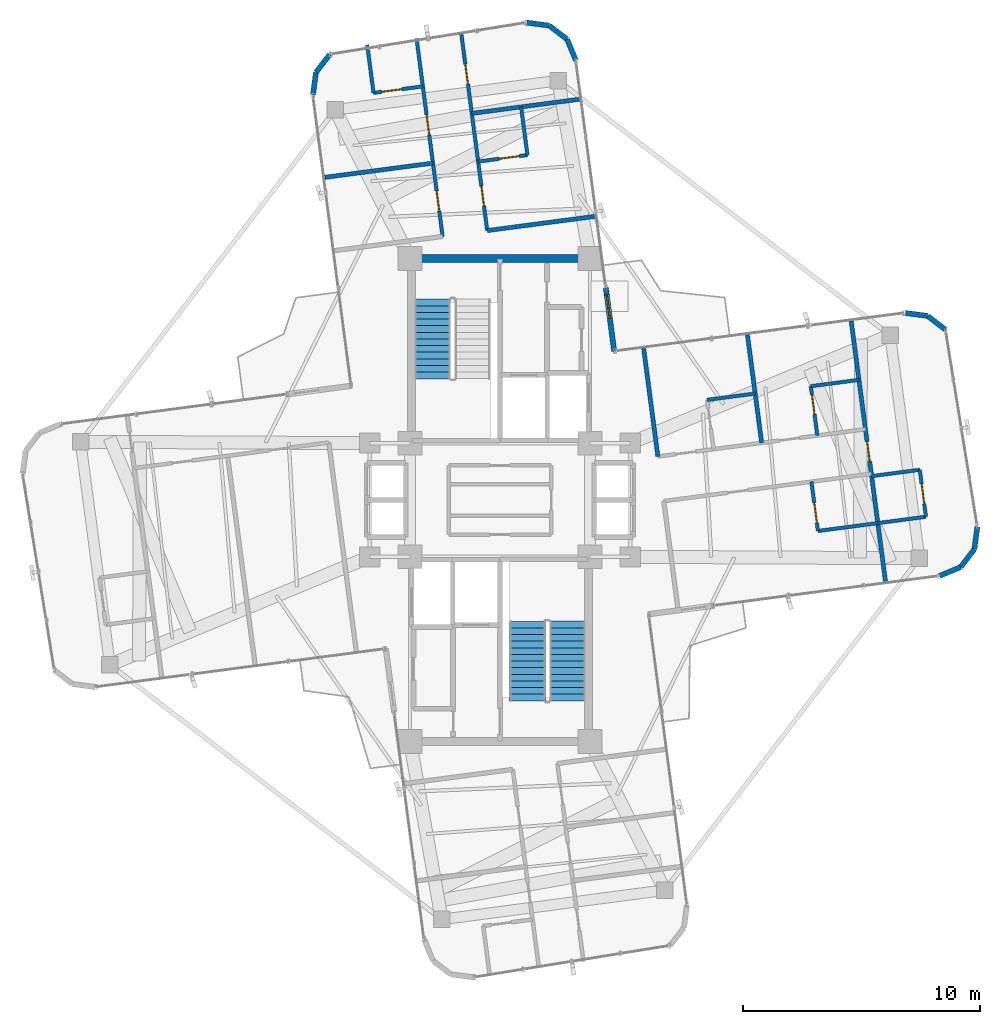
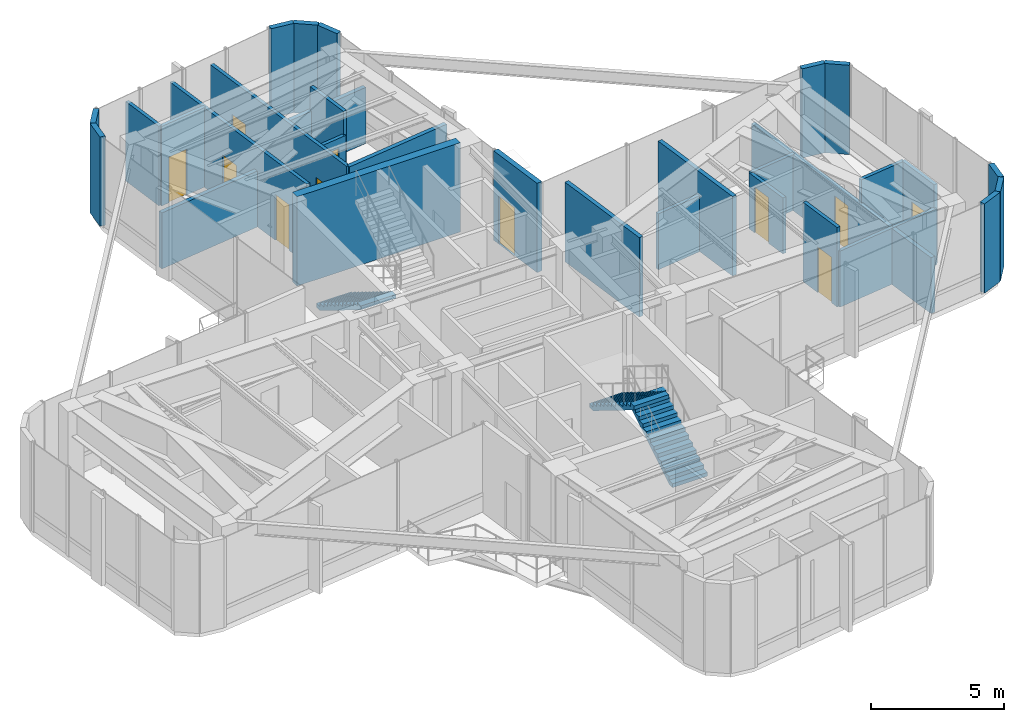
# One storey, part 16 of 18: 32 walls, 11 doors, 3 stair flights, 11 openings, 2 elements without a shape of their own.
"""IFC4 building model written with IfcOpenShell, lengths in metres."""

from ifc_helpers import new_model, si_unit, direction, frame, frame_2d, origin, origin_2d, place, context, subcontext, project, spatial, polyline, rectangle, outline, extrude, source, transform, mapped, material, layer, layer_set, type_object, element, fill, aggregate, save


model = new_model("IFC4")

# Units and contexts
model_context = context("Model", 3, precision=1e-05, world=origin(), true_north=direction((0.0, 1.0)))
body_context = subcontext(model_context, "Body", "Model", "MODEL_VIEW")
ifc_project = project(units=[si_unit("LENGTHUNIT", "METRE"), si_unit("AREAUNIT", "SQUARE_METRE"), si_unit("VOLUMEUNIT", "CUBIC_METRE"), si_unit("PLANEANGLEUNIT", "RADIAN"), si_unit("MASSUNIT", "GRAM", prefix="KILO")], contexts=[model_context])

# Site, building, storey
site_placement = place(None, origin())
site = spatial("IfcSite", under=ifc_project, at=site_placement, CompositionType="ELEMENT")
building_placement = place(site_placement, origin())
building = spatial("IfcBuilding", under=site, at=building_placement, Name="Sahyath Konkavel Grand Hotel", CompositionType="ELEMENT")
storey_placement = place(building_placement, frame((0.0, 0.0, 275.800048828125)))
storey = spatial("IfcBuildingStorey", under=building, at=storey_placement, Name="L77", CompositionType="ELEMENT", Elevation=275.800048828125)

# Walls
ifc_material_1 = material(Name="Concrete C40/50", Category="concrete")
ifc_layer_1 = layer(ifc_material_1, 0.35009765625)
ifc_layer_set_1 = layer_set([ifc_layer_1], Name="Concrete C40/50")
wall_type_1 = type_object("IfcWallType", Name="CWALL-350", PredefinedType="SHEAR", material=ifc_layer_set_1)
wall_1_placement = place(storey_placement, frame((-3.550048828125, 10.199951171875, 0.0), z_axis=(0.0, 0.0, 1.0), x_axis=(1.0, 0.0, 0.0)))
element("IfcWall", 1, at=wall_1_placement, inside=storey, type_object=wall_type_1, Name="L77 North Core Shear Wall N", PredefinedType="SHEAR", context=body_context, shape_type="SweptSolid", body=[
    extrude(rectangle(XDim=7.10009765625, YDim=0.35009765625, at=frame_2d((3.550048828125, 0.0))), origin(), (0.0, 0.0, 1.0), 4.099853515625),
])
ifc_material_2 = material(Name="Warm Buff Sandstone Insulated Concrete C40/50", Category="masonry")
ifc_layer_2 = layer(ifc_material_2, 0.219970703125)
ifc_layer_set_2 = layer_set([ifc_layer_2], Name="Warm Buff Sandstone Insulated Concrete C40/50")
wall_type_2 = type_object("IfcWallType", Name="WLL-BALC-THRESH", PredefinedType="STANDARD", material=ifc_layer_set_2)
wall_2_placement = place(storey_placement, frame((18.56689453125, -3.203857421875, 0.0), z_axis=(0.0, 0.0, 1.0), x_axis=(0.923926759112, 0.382569397359, 0.0)))
element("IfcWall", 2, at=wall_2_placement, inside=storey, type_object=wall_type_2, Name="L77 Rounded Corner Sandstone Pier 1", PredefinedType="STANDARD", context=body_context, shape_type="SweptSolid", body=[
    extrude(rectangle(XDim=0.957763671875, YDim=0.219970703125, at=frame_2d((0.47900390625, 0.0))), origin(), (0.0, 0.0, 1.0), 4.099853515625),
])
for number, where, z_axis, x_axis, name in (
    (3, (19.451904296875, -2.83740234375, 0.0), (0.0, 0.0, 1.0), (0.60861352168, 0.793466811674, 0.0), "L77 Rounded Corner Sandstone Pier 2"),
    (4, (20.03466796875, -2.07763671875, 0.0), (0.0, 0.0, 1.0), (0.13056005306, 0.991440402921, 0.0), "L77 Rounded Corner Sandstone Pier 3"),
    (5, (18.814208984375, 7.1923828125, 0.0), (0.0, 0.0, 1.0), (-0.793249178392, 0.608897151398, 0.0), "L77 Rounded Corner Sandstone Pier 5"),
):
    element("IfcWall", number, at=place(storey_placement, frame(where, z_axis=z_axis, x_axis=x_axis)), inside=storey, type_object=wall_type_2, Name=name, PredefinedType="STANDARD", context=body_context, shape_type="SweptSolid", body=[
        extrude(rectangle(XDim=0.95751953125, YDim=0.219970703125, at=frame_2d((0.478759765625, 0.0))), origin(), (0.0, 0.0, 1.0), 4.099853515625),
    ])
wall_3_placement = place(storey_placement, frame((18.0546875, 7.775390625, 0.0), z_axis=(0.0, 0.0, 1.0), x_axis=(-0.991449089759, 0.130494070426, 0.0)))
element("IfcWall", 6, at=wall_3_placement, inside=storey, type_object=wall_type_2, Name="L77 Rounded Corner Sandstone Pier 6", PredefinedType="STANDARD", context=body_context, shape_type="SweptSolid", body=[
    extrude(rectangle(XDim=0.9580078125, YDim=0.219970703125, at=frame_2d((0.47900390625, 0.0))), origin(), (0.0, 0.0, 1.0), 4.099853515625),
])

# Wall, opening, door
wall_4_placement = place(storey_placement, frame((4.821044921875, 6.282958984375, 0.0), z_axis=(0.0, 0.0, 1.0), x_axis=(-0.130475563272, 0.991451525486, 0.0)))
wall_4 = element("IfcWall", 7, at=wall_4_placement, inside=storey, type_object=wall_type_2, Name="L77 Winter-Garden Threshold Wall 8", PredefinedType="STANDARD", context=body_context, shape_type="SweptSolid", body=[
    extrude(rectangle(XDim=2.7001953125, YDim=0.219970703125, at=frame_2d((1.35009765625, 0.0))), origin(), (0.0, 0.0, 1.0), 4.099853515625),
])
opening_1_placement = place(wall_4_placement, frame((1.39990234375, 0.0, 0.0)))
opening_1 = element("IfcOpeningElement", 8, at=opening_1_placement, cuts=wall_4, Name="Opening D-TR1", PredefinedType="OPENING", context=body_context, shape_type="SweptSolid", body=[
    extrude(rectangle(XDim=1.0, YDim=2.199951171875, at=frame_2d((0.5, 1.10009765625))), frame((0.0, 0.1201171875, 0.0), z_axis=(0.0, -1.0, 0.0), x_axis=(1.0, 0.0, 0.0)), (0.0, 0.0, 1.0), 0.239990234375),
])
ifc_material_3 = material(Name="Anodised Bronze Aluminium & Low-E Glazing", Category="aluminium")
door_type_1 = type_object("IfcDoorType", Name="DR-TERRACE-1000", OperationType="NOTDEFINED", PredefinedType="DOOR", material=ifc_material_3)
shared_shape_1 = source(origin(), body_context, "Body", "SweptSolid", [
    extrude(rectangle(XDim=1.0, YDim=0.050048828125, at=origin_2d()), origin(), (0.0, 0.0, 1.0), 2.199951171875),
])
door_1_placement = place(opening_1_placement, frame((0.5, 0.0, 0.0)))
door_1 = element("IfcDoor", 9, at=door_1_placement, inside=storey, type_object=door_type_1, Name="L77 Winter-Garden Terrace Door 8", OperationType="SINGLE_SWING_LEFT", OverallHeight=2.199951171875, OverallWidth=1.0, PredefinedType="DOOR", context=body_context, shape_type="MappedRepresentation", body=[
    mapped(shared_shape_1, transform((0.0, 0.0, 0.0), scale=1.0)),
])
fill(opening_1, door_1)

# Walls
wall_5_placement = place(storey_placement, frame((3.203857421875, 18.56689453125, 0.0), z_axis=(0.0, 0.0, 1.0), x_axis=(-0.382569397359, 0.923926759112, 0.0)))
element("IfcWall", 10, at=wall_5_placement, inside=storey, type_object=wall_type_2, Name="L77 Rounded Corner Sandstone Pier 9", PredefinedType="STANDARD", context=body_context, shape_type="SweptSolid", body=[
    extrude(rectangle(XDim=0.957763671875, YDim=0.219970703125, at=frame_2d((0.47900390625, 0.0))), origin(), (0.0, 0.0, 1.0), 4.099853515625),
])
for number, where, z_axis, x_axis, name in (
    (11, (2.83740234375, 19.451904296875, 0.0), (0.0, 0.0, 1.0), (-0.793466811674, 0.60861352168, 0.0), "L77 Rounded Corner Sandstone Pier 10"),
    (12, (2.07763671875, 20.03466796875, 0.0), (0.0, 0.0, 1.0), (-0.991440402921, 0.13056005306, 0.0), "L77 Rounded Corner Sandstone Pier 11"),
    (13, (-7.1923828125, 18.814208984375, 0.0), (0.0, 0.0, 1.0), (-0.608897151398, -0.793249178392, 0.0), "L77 Rounded Corner Sandstone Pier 13"),
):
    element("IfcWall", number, at=place(storey_placement, frame(where, z_axis=z_axis, x_axis=x_axis)), inside=storey, type_object=wall_type_2, Name=name, PredefinedType="STANDARD", context=body_context, shape_type="SweptSolid", body=[
        extrude(rectangle(XDim=0.95751953125, YDim=0.219970703125, at=frame_2d((0.478759765625, 0.0))), origin(), (0.0, 0.0, 1.0), 4.099853515625),
    ])
wall_6_placement = place(storey_placement, frame((-7.775390625, 18.0546875, 0.0), z_axis=(0.0, 0.0, 1.0), x_axis=(-0.130494070426, -0.991449089759, 0.0)))
element("IfcWall", 14, at=wall_6_placement, inside=storey, type_object=wall_type_2, Name="L77 Rounded Corner Sandstone Pier 14", PredefinedType="STANDARD", context=body_context, shape_type="SweptSolid", body=[
    extrude(rectangle(XDim=0.9580078125, YDim=0.219970703125, at=frame_2d((0.47900390625, 0.0))), origin(), (0.0, 0.0, 1.0), 4.099853515625),
])
ifc_material_4 = material(Name="Twin-Stud Acoustic Gypsum Plasterboard Partition")
ifc_layer_3 = layer(ifc_material_4, 0.179931640625)
ifc_layer_set_3 = layer_set([ifc_layer_3], Name="Twin-Stud Acoustic Gypsum Plasterboard Partition")
wall_type_3 = type_object("IfcWallType", Name="WLL-DEMISE-180", PredefinedType="PARTITIONING", material=ifc_layer_set_3)
for number, where, z_axis, x_axis, name in (
    (15, (6.66748046875, 1.8359375, 0.0), (0.0, 0.0, 1.0), (-0.130564346904, 0.991439837467, 0.0), "L77 Partition E-INL"),
    (16, (11.049560546875, 2.412841796875, 0.0), (0.0, 0.0, 1.0), (-0.130512176195, 0.991446706518, 0.0), "L77 Partition E-E4L1-DEM"),
):
    element("IfcWall", number, at=place(storey_placement, frame(where, z_axis=z_axis, x_axis=x_axis)), inside=storey, type_object=wall_type_3, Name=name, PredefinedType="PARTITIONING", context=body_context, shape_type="SweptSolid", body=[
        extrude(rectangle(XDim=4.599853515625, YDim=0.179931640625, at=frame_2d((2.2998046875, 0.0))), origin(), (0.0, 0.0, 1.0), 3.64990234375),
    ])

# Wall, opening, door
wall_7_placement = place(storey_placement, frame((16.2802734375, -3.45458984375, 0.0), z_axis=(0.0, 0.0, 1.0), x_axis=(-0.130537009991, 0.991443437127, 0.0)))
wall_7 = element("IfcWall", 17, at=wall_7_placement, inside=storey, type_object=wall_type_3, Name="L77 Partition E-ETIP-END", PredefinedType="PARTITIONING", context=body_context, shape_type="SweptSolid", body=[
    extrude(rectangle(XDim=11.10009765625, YDim=0.179931640625, at=frame_2d((5.550048828125, 0.0))), origin(), (0.0, 0.0, 1.0), 2.570068359375),
])
opening_2_placement = place(wall_7_placement, frame((5.125, 0.0, 0.0)))
opening_2 = element("IfcOpeningElement", 18, at=opening_2_placement, cuts=wall_7, Name="Opening D-F06D", PredefinedType="OPENING", context=body_context, shape_type="SweptSolid", body=[
    extrude(rectangle(XDim=0.85009765625, YDim=2.10009765625, at=frame_2d((0.425048828125, 1.050048828125))), frame((0.0, 0.10009765625, 0.0), z_axis=(0.0, -1.0, 0.0), x_axis=(1.0, 0.0, 0.0)), (0.0, 0.0, 1.0), 0.199951171875),
])
ifc_material_5 = material(Name="Fire-Rated Shaft Access Door")
door_type_2 = type_object("IfcDoorType", Name="DR-FD60-850", OperationType="NOTDEFINED", PredefinedType="DOOR", material=ifc_material_5)
shared_shape_2 = source(origin(), body_context, "Body", "SweptSolid", [
    extrude(rectangle(XDim=0.85009765625, YDim=0.050048828125, at=origin_2d()), origin(), (0.0, 0.0, 1.0), 2.10009765625),
])
door_2_placement = place(opening_2_placement, frame((0.425048828125, 0.0, 0.0)))
door_2 = element("IfcDoor", 19, at=door_2_placement, inside=storey, type_object=door_type_2, Name="L77 Door E-ETIP-ED", OperationType="SINGLE_SWING_LEFT", OverallHeight=2.10009765625, OverallWidth=0.85009765625, PredefinedType="DOOR", context=body_context, shape_type="MappedRepresentation", body=[
    mapped(shared_shape_2, transform((0.0, 0.0, 0.0), scale=1.0)),
])
fill(opening_2, door_2)

# Walls
wall_8_placement = place(storey_placement, frame((4.02099609375, 11.977294921875, 0.0), z_axis=(0.0, 0.0, 1.0), x_axis=(-0.991446706518, -0.130512176195, 0.0)))
element("IfcWall", 20, at=wall_8_placement, inside=storey, type_object=wall_type_3, Name="L77 Partition N-INR", PredefinedType="PARTITIONING", context=body_context, shape_type="SweptSolid", body=[
    extrude(rectangle(XDim=4.599853515625, YDim=0.179931640625, at=frame_2d((2.2998046875, 0.0))), origin(), (0.0, 0.0, 1.0), 3.64990234375),
])
for number, where, z_axis, x_axis, name in (
    (21, (-2.8310546875, 14.22509765625, 0.0), (0.0, 0.0, 1.0), (-0.991446706518, -0.130512176195, 0.0), "L77 Partition N-N1L-DEM"),
    (22, (-1.19091796875, 16.32421875, 0.0), (0.0, 0.0, 1.0), (0.991446706518, 0.130512176195, 0.0), "L77 Partition N-N1R-DEM"),
):
    element("IfcWall", number, at=place(storey_placement, frame(where, z_axis=z_axis, x_axis=x_axis)), inside=storey, type_object=wall_type_3, Name=name, PredefinedType="PARTITIONING", context=body_context, shape_type="SweptSolid", body=[
        extrude(rectangle(XDim=4.599853515625, YDim=0.179931640625, at=frame_2d((2.2998046875, 0.0))), origin(), (0.0, 0.0, 1.0), 2.570068359375),
    ])
ifc_material_6 = material(Name="Fire-Rated Gypsum Plasterboard Partition")
ifc_layer_4 = layer(ifc_material_6, 0.14990234375)
ifc_layer_set_4 = layer_set([ifc_layer_4], Name="Fire-Rated Gypsum Plasterboard Partition")
wall_type_4 = type_object("IfcWallType", Name="WLL-PART-150", PredefinedType="PARTITIONING", material=ifc_layer_set_4)
wall_9_placement = place(storey_placement, frame((8.742919921875, 4.227294921875, 0.0), z_axis=(0.0, 0.0, 1.0), x_axis=(0.991444969909, 0.13052536781, 0.0)))
element("IfcWall", 23, at=wall_9_placement, inside=storey, type_object=wall_type_4, Name="L77 Partition E-E4L1-BF", PredefinedType="PARTITIONING", context=body_context, shape_type="SweptSolid", body=[
    extrude(rectangle(XDim=2.050048828125, YDim=0.14990234375, at=frame_2d((1.02490234375, 0.0))), origin(), (0.0, 0.0, 1.0), 2.570068359375),
])

# Wall, opening, door
wall_10_placement = place(storey_placement, frame((13.3994140625, 2.72216796875, 0.0), z_axis=(0.0, 0.0, 1.0), x_axis=(-0.130556761174, 0.991440836415, 0.0)))
wall_10 = element("IfcWall", 24, at=wall_10_placement, inside=storey, type_object=wall_type_4, Name="L77 Partition E-E4L2-BS", PredefinedType="PARTITIONING", context=body_context, shape_type="SweptSolid", body=[
    extrude(rectangle(XDim=2.10009765625, YDim=0.14990234375, at=frame_2d((1.050048828125, 0.0))), origin(), (0.0, 0.0, 1.0), 2.570068359375),
])
opening_3_placement = place(wall_10_placement, frame((0.89990234375, 0.0, 0.0)))
opening_3 = element("IfcOpeningElement", 25, at=opening_3_placement, cuts=wall_10, Name="Opening D-BT85", PredefinedType="OPENING", context=body_context, shape_type="SweptSolid", body=[
    extrude(rectangle(XDim=0.85009765625, YDim=2.10009765625, at=frame_2d((0.425048828125, 1.050048828125))), frame((0.0, 0.0849609375, 0.0), z_axis=(0.0, -1.0, 0.0), x_axis=(1.0, 0.0, 0.0)), (0.0, 0.0, 1.0), 0.169921875),
])
ifc_material_7 = material(Name="Moisture-Resistant Teak Bathroom Door")
door_type_3 = type_object("IfcDoorType", Name="DR-BATH-850", OperationType="NOTDEFINED", PredefinedType="DOOR", material=ifc_material_7)
door_3_placement = place(opening_3_placement, frame((0.425048828125, 0.0, 0.0)))
door_3 = element("IfcDoor", 26, at=door_3_placement, inside=storey, type_object=door_type_3, Name="L77 Door E-E4L2-BD", OperationType="SINGLE_SWING_RIGHT", OverallHeight=2.10009765625, OverallWidth=0.85009765625, PredefinedType="DOOR", context=body_context, shape_type="MappedRepresentation", body=[
    mapped(shared_shape_2, transform((0.0, 0.0, 0.0), scale=1.0)),
])
fill(opening_3, door_3)

# Wall
wall_11_placement = place(storey_placement, frame((13.125244140625, 4.80419921875, 0.0), z_axis=(0.0, 0.0, 1.0), x_axis=(0.991429551631, 0.130642428605, 0.0)))
element("IfcWall", 27, at=wall_11_placement, inside=storey, type_object=wall_type_4, Name="L77 Partition E-E4L2-BF", PredefinedType="PARTITIONING", context=body_context, shape_type="SweptSolid", body=[
    extrude(rectangle(XDim=2.050048828125, YDim=0.14990234375, at=frame_2d((1.02490234375, 0.0))), origin(), (0.0, 0.0, 1.0), 2.570068359375),
])

# Wall, opening, door
wall_12_placement = place(storey_placement, frame((13.151611328125, 0.773193359375, 0.0), z_axis=(0.0, 0.0, 1.0), x_axis=(0.130556761174, -0.991440836415, 0.0)))
wall_12 = element("IfcWall", 28, at=wall_12_placement, inside=storey, type_object=wall_type_4, Name="L77 Partition E-E4R1-BS", PredefinedType="PARTITIONING", context=body_context, shape_type="SweptSolid", body=[
    extrude(rectangle(XDim=2.10009765625, YDim=0.14990234375, at=frame_2d((1.050048828125, 0.0))), origin(), (0.0, 0.0, 1.0), 3.64990234375),
])
opening_4_placement = place(wall_12_placement, frame((0.89990234375, 0.0, 0.0)))
opening_4 = element("IfcOpeningElement", 29, at=opening_4_placement, cuts=wall_12, Name="Opening D-BT85", PredefinedType="OPENING", context=body_context, shape_type="SweptSolid", body=[
    extrude(rectangle(XDim=0.85009765625, YDim=2.10009765625, at=frame_2d((0.425048828125, 1.050048828125))), frame((0.0, 0.0849609375, 0.0), z_axis=(0.0, -1.0, 0.0), x_axis=(1.0, 0.0, 0.0)), (0.0, 0.0, 1.0), 0.169921875),
])
door_4_placement = place(opening_4_placement, frame((0.425048828125, 0.0, 0.0)))
door_4 = element("IfcDoor", 30, at=door_4_placement, inside=storey, type_object=door_type_3, Name="L77 Door E-E4R1-BD", OperationType="SINGLE_SWING_RIGHT", OverallHeight=2.10009765625, OverallWidth=0.85009765625, PredefinedType="DOOR", context=body_context, shape_type="MappedRepresentation", body=[
    mapped(shared_shape_2, transform((0.0, 0.0, 0.0), scale=1.0)),
])
fill(opening_4, door_4)

# Walls
wall_13_placement = place(storey_placement, frame((13.42578125, -1.308837890625, 0.0), z_axis=(0.0, 0.0, 1.0), x_axis=(0.991448102558, 0.130501570622, 0.0)))
element("IfcWall", 31, at=wall_13_placement, inside=storey, type_object=wall_type_4, Name="L77 Partition E-E4R1-BF", PredefinedType="PARTITIONING", context=body_context, shape_type="SweptSolid", body=[
    extrude(rectangle(XDim=2.5498046875, YDim=0.14990234375, at=frame_2d((1.27490234375, 0.0))), origin(), (0.0, 0.0, 1.0), 2.570068359375),
])
wall_14_placement = place(storey_placement, frame((15.69287109375, 1.0068359375, 0.0), z_axis=(0.0, 0.0, 1.0), x_axis=(0.991444969909, 0.13052536781, 0.0)))
element("IfcWall", 32, at=wall_14_placement, inside=storey, type_object=wall_type_4, Name="L77 Partition E-ETIP-BN", PredefinedType="PARTITIONING", context=body_context, shape_type="SweptSolid", body=[
    extrude(rectangle(XDim=2.050048828125, YDim=0.14990234375, at=frame_2d((1.02490234375, 0.0))), origin(), (0.0, 0.0, 1.0), 3.64990234375),
])
wall_15_placement = place(storey_placement, frame((15.953857421875, -0.97607421875, 0.0), z_axis=(0.0, 0.0, 1.0), x_axis=(0.991444969909, 0.13052536781, 0.0)))
element("IfcWall", 33, at=wall_15_placement, inside=storey, type_object=wall_type_4, Name="L77 Partition E-ETIP-BS", PredefinedType="PARTITIONING", context=body_context, shape_type="SweptSolid", body=[
    extrude(rectangle(XDim=2.050048828125, YDim=0.14990234375, at=frame_2d((1.02490234375, 0.0))), origin(), (0.0, 0.0, 1.0), 2.570068359375),
])

# Wall, opening, door
wall_16_placement = place(storey_placement, frame((17.986328125, -0.70849609375, 0.0), z_axis=(0.0, 0.0, 1.0), x_axis=(-0.130492404742, 0.991449308994, 0.0)))
wall_16 = element("IfcWall", 34, at=wall_16_placement, inside=storey, type_object=wall_type_4, Name="L77 Partition E-ETIP-BE", PredefinedType="PARTITIONING", context=body_context, shape_type="SweptSolid", body=[
    extrude(rectangle(XDim=2.0, YDim=0.14990234375, at=frame_2d((1.0, 0.0))), origin(), (0.0, 0.0, 1.0), 3.64990234375),
])
opening_5_placement = place(wall_16_placement, frame((0.550048828125, 0.0, 0.0)))
opening_5 = element("IfcOpeningElement", 35, at=opening_5_placement, cuts=wall_16, Name="Opening D-BT85", PredefinedType="OPENING", context=body_context, shape_type="SweptSolid", body=[
    extrude(rectangle(XDim=0.85009765625, YDim=2.10009765625, at=frame_2d((0.425048828125, 1.050048828125))), frame((0.0, 0.0849609375, 0.0), z_axis=(0.0, -1.0, 0.0), x_axis=(1.0, 0.0, 0.0)), (0.0, 0.0, 1.0), 0.169921875),
])
door_5_placement = place(opening_5_placement, frame((0.425048828125, 0.0, 0.0)))
door_5 = element("IfcDoor", 36, at=door_5_placement, inside=storey, type_object=door_type_3, Name="L77 Door E-ETIP-BD", OperationType="SINGLE_SWING_RIGHT", OverallHeight=2.10009765625, OverallWidth=0.85009765625, PredefinedType="DOOR", context=body_context, shape_type="MappedRepresentation", body=[
    mapped(shared_shape_2, transform((0.0, 0.0, 0.0), scale=1.0)),
])
fill(opening_5, door_5)

# Wall, openings, doors
wall_17_placement = place(storey_placement, frame((-2.42333984375, 11.12890625, 0.0), z_axis=(0.0, 0.0, 1.0), x_axis=(-0.130518864652, 0.991445826039, 0.0)))
wall_17 = element("IfcWall", 37, at=wall_17_placement, inside=storey, type_object=wall_type_4, Name="L77 Partition N-CL", PredefinedType="PARTITIONING", context=body_context, shape_type="SweptSolid", body=[
    extrude(rectangle(XDim=8.43994140625, YDim=0.14990234375, at=frame_2d((4.219970703125, 0.0))), origin(), (0.0, 0.0, 1.0), 3.64990234375),
])
opening_6_placement = place(wall_17_placement, frame((1.0869140625, 0.0, 0.0)))
opening_6 = element("IfcOpeningElement", 38, at=opening_6_placement, cuts=wall_17, Name="Opening D-F06D", PredefinedType="OPENING", context=body_context, shape_type="SweptSolid", body=[
    extrude(rectangle(XDim=0.85009765625, YDim=2.10009765625, at=frame_2d((0.425048828125, 1.050048828125))), frame((0.0, 0.0849609375, 0.0), z_axis=(0.0, -1.0, 0.0), x_axis=(1.0, 0.0, 0.0)), (0.0, 0.0, 1.0), 0.169921875),
])
opening_7_placement = place(wall_17_placement, frame((4.33203125, 0.0, 0.0)))
opening_7 = element("IfcOpeningElement", 39, at=opening_7_placement, cuts=wall_17, Name="Opening D-F06D", PredefinedType="OPENING", context=body_context, shape_type="SweptSolid", body=[
    extrude(rectangle(XDim=0.85009765625, YDim=2.10009765625, at=frame_2d((0.425048828125, 1.050048828125))), frame((0.0, 0.0849609375, 0.0), z_axis=(0.0, -1.0, 0.0), x_axis=(1.0, 0.0, 0.0)), (0.0, 0.0, 1.0), 0.169921875),
])
door_6_placement = place(opening_6_placement, frame((0.425048828125, 0.0, 0.0)))
door_6 = element("IfcDoor", 40, at=door_6_placement, inside=storey, type_object=door_type_2, Name="L77 Door N-N1L-D", OperationType="SINGLE_SWING_RIGHT", OverallHeight=2.10009765625, OverallWidth=0.85009765625, PredefinedType="DOOR", context=body_context, shape_type="MappedRepresentation", body=[
    mapped(shared_shape_2, transform((0.0, 0.0, 0.0), scale=1.0)),
])
fill(opening_6, door_6)
door_7_placement = place(opening_7_placement, frame((0.425048828125, 0.0, 0.0)))
door_7 = element("IfcDoor", 41, at=door_7_placement, inside=storey, type_object=door_type_2, Name="L77 Door N-N2L-ED", OperationType="SINGLE_SWING_RIGHT", OverallHeight=2.10009765625, OverallWidth=0.85009765625, PredefinedType="DOOR", context=body_context, shape_type="MappedRepresentation", body=[
    mapped(shared_shape_2, transform((0.0, 0.0, 0.0), scale=1.0)),
])
fill(opening_7, door_7)

wall_18_placement = place(storey_placement, frame((-0.53955078125, 11.376953125, 0.0), z_axis=(0.0, 0.0, 1.0), x_axis=(-0.130518864652, 0.991445826039, 0.0)))
wall_18 = element("IfcWall", 42, at=wall_18_placement, inside=storey, type_object=wall_type_4, Name="L77 Partition N-CR", PredefinedType="PARTITIONING", context=body_context, shape_type="SweptSolid", body=[
    extrude(rectangle(XDim=8.43994140625, YDim=0.14990234375, at=frame_2d((4.219970703125, 0.0))), origin(), (0.0, 0.0, 1.0), 3.64990234375),
])
opening_8_placement = place(wall_18_placement, frame((1.044921875, 0.0, 0.0)))
opening_8 = element("IfcOpeningElement", 43, at=opening_8_placement, cuts=wall_18, Name="Opening D-F06D", PredefinedType="OPENING", context=body_context, shape_type="SweptSolid", body=[
    extrude(rectangle(XDim=0.85009765625, YDim=2.10009765625, at=frame_2d((0.425048828125, 1.050048828125))), frame((0.0, 0.0849609375, 0.0), z_axis=(0.0, -1.0, 0.0), x_axis=(1.0, 0.0, 0.0)), (0.0, 0.0, 1.0), 0.169921875),
])
opening_9_placement = place(wall_18_placement, frame((6.239990234375, 0.0, 0.0)))
opening_9 = element("IfcOpeningElement", 44, at=opening_9_placement, cuts=wall_18, Name="Opening D-F06D", PredefinedType="OPENING", context=body_context, shape_type="SweptSolid", body=[
    extrude(rectangle(XDim=0.85009765625, YDim=2.10009765625, at=frame_2d((0.425048828125, 1.050048828125))), frame((0.0, 0.0849609375, 0.0), z_axis=(0.0, -1.0, 0.0), x_axis=(1.0, 0.0, 0.0)), (0.0, 0.0, 1.0), 0.169921875),
])
door_8_placement = place(opening_8_placement, frame((0.425048828125, 0.0, 0.0)))
door_8 = element("IfcDoor", 45, at=door_8_placement, inside=storey, type_object=door_type_2, Name="L77 Door N-N1R-ED", OperationType="SINGLE_SWING_RIGHT", OverallHeight=2.10009765625, OverallWidth=0.85009765625, PredefinedType="DOOR", context=body_context, shape_type="MappedRepresentation", body=[
    mapped(shared_shape_2, transform((0.0, 0.0, 0.0), scale=1.0)),
])
fill(opening_8, door_8)
door_9_placement = place(opening_9_placement, frame((0.425048828125, 0.0, 0.0)))
door_9 = element("IfcDoor", 46, at=door_9_placement, inside=storey, type_object=door_type_2, Name="L77 Door N-N2R-D", OperationType="SINGLE_SWING_LEFT", OverallHeight=2.10009765625, OverallWidth=0.85009765625, PredefinedType="DOOR", context=body_context, shape_type="MappedRepresentation", body=[
    mapped(shared_shape_2, transform((0.0, 0.0, 0.0), scale=1.0)),
])
fill(opening_9, door_9)

# Wall, opening, door
wall_19_placement = place(storey_placement, frame((-3.25732421875, 17.464111328125, 0.0), z_axis=(0.0, 0.0, 1.0), x_axis=(-0.9914558783, -0.13044248305, 0.0)))
wall_19 = element("IfcWall", 47, at=wall_19_placement, inside=storey, type_object=wall_type_4, Name="L77 Partition N-N2L-BS", PredefinedType="PARTITIONING", context=body_context, shape_type="SweptSolid", body=[
    extrude(rectangle(XDim=2.099853515625, YDim=0.14990234375, at=frame_2d((1.0498046875, 0.0))), origin(), (0.0, 0.0, 1.0), 3.64990234375),
])
opening_10_placement = place(wall_19_placement, frame((0.89990234375, 0.0, 0.0)))
opening_10 = element("IfcOpeningElement", 48, at=opening_10_placement, cuts=wall_19, Name="Opening D-BT85", PredefinedType="OPENING", context=body_context, shape_type="SweptSolid", body=[
    extrude(rectangle(XDim=0.85009765625, YDim=2.10009765625, at=frame_2d((0.425048828125, 1.050048828125))), frame((0.0, 0.0849609375, 0.0), z_axis=(0.0, -1.0, 0.0), x_axis=(1.0, 0.0, 0.0)), (0.0, 0.0, 1.0), 0.169921875),
])
door_10_placement = place(opening_10_placement, frame((0.425048828125, 0.0, 0.0)))
door_10 = element("IfcDoor", 49, at=door_10_placement, inside=storey, type_object=door_type_3, Name="L77 Door N-N2L-BD", OperationType="SINGLE_SWING_LEFT", OverallHeight=2.10009765625, OverallWidth=0.85009765625, PredefinedType="DOOR", context=body_context, shape_type="MappedRepresentation", body=[
    mapped(shared_shape_2, transform((0.0, 0.0, 0.0), scale=1.0)),
])
fill(opening_10, door_10)

# Wall
wall_20_placement = place(storey_placement, frame((-5.33935546875, 17.190185546875, 0.0), z_axis=(0.0, 0.0, 1.0), x_axis=(-0.13052536781, 0.991444969909, 0.0)))
element("IfcWall", 50, at=wall_20_placement, inside=storey, type_object=wall_type_4, Name="L77 Partition N-N2L-BF", PredefinedType="PARTITIONING", context=body_context, shape_type="SweptSolid", body=[
    extrude(rectangle(XDim=2.050048828125, YDim=0.14990234375, at=frame_2d((1.02490234375, 0.0))), origin(), (0.0, 0.0, 1.0), 3.64990234375),
])

# Wall, opening, door
wall_21_placement = place(storey_placement, frame((-0.92333984375, 14.291748046875, 0.0), z_axis=(0.0, 0.0, 1.0), x_axis=(0.991440836415, 0.130556761174, 0.0)))
wall_21 = element("IfcWall", 51, at=wall_21_placement, inside=storey, type_object=wall_type_4, Name="L77 Partition N-N1R-BS", PredefinedType="PARTITIONING", context=body_context, shape_type="SweptSolid", body=[
    extrude(rectangle(XDim=2.10009765625, YDim=0.14990234375, at=frame_2d((1.050048828125, 0.0))), origin(), (0.0, 0.0, 1.0), 2.570068359375),
])
opening_11_placement = place(wall_21_placement, frame((0.89990234375, 0.0, 0.0)))
opening_11 = element("IfcOpeningElement", 52, at=opening_11_placement, cuts=wall_21, Name="Opening D-BT85", PredefinedType="OPENING", context=body_context, shape_type="SweptSolid", body=[
    extrude(rectangle(XDim=0.85009765625, YDim=2.10009765625, at=frame_2d((0.425048828125, 1.050048828125))), frame((0.0, 0.0849609375, 0.0), z_axis=(0.0, -1.0, 0.0), x_axis=(1.0, 0.0, 0.0)), (0.0, 0.0, 1.0), 0.169921875),
])
door_11_placement = place(opening_11_placement, frame((0.425048828125, 0.0, 0.0)))
door_11 = element("IfcDoor", 53, at=door_11_placement, inside=storey, type_object=door_type_3, Name="L77 Door N-N1R-BD", OperationType="SINGLE_SWING_LEFT", OverallHeight=2.10009765625, OverallWidth=0.85009765625, PredefinedType="DOOR", context=body_context, shape_type="MappedRepresentation", body=[
    mapped(shared_shape_2, transform((0.0, 0.0, 0.0), scale=1.0)),
])
fill(opening_11, door_11)

# Wall
wall_22_placement = place(storey_placement, frame((1.15869140625, 14.56591796875, 0.0), z_axis=(0.0, 0.0, 1.0), x_axis=(-0.13052536781, 0.991444969909, 0.0)))
element("IfcWall", 54, at=wall_22_placement, inside=storey, type_object=wall_type_4, Name="L77 Partition N-N1R-BF", PredefinedType="PARTITIONING", context=body_context, shape_type="SweptSolid", body=[
    extrude(rectangle(XDim=2.050048828125, YDim=0.14990234375, at=frame_2d((1.02490234375, 0.0))), origin(), (0.0, 0.0, 1.0), 3.64990234375),
])

# Stair, stair flight
stair_type = type_object("IfcStairType", Name="STR-ST16-450", PredefinedType="HALF_TURN_STAIR", material=ifc_material_1)
stair_1_placement = place(storey_placement, origin())
stair_1 = element("IfcStair", 55, at=stair_1_placement, inside=storey, type_object=stair_type, Name="L77 North Core Smokeproof Exit Stair ST-1", PredefinedType="HALF_TURN_STAIR")
stair_flight_type = type_object("IfcStairFlightType", Name="STF-ST16-450", PredefinedType="STRAIGHT", material=ifc_material_1)
stair_flight_1_placement = place(storey_placement, frame((-2.840087890625, 8.47998046875, 0.0), z_axis=(0.0, 0.0, 1.0), x_axis=(0.0, -1.0, 0.0)))
stair_flight_1 = element("IfcStairFlight", 56, at=stair_flight_1_placement, type_object=stair_flight_type, Name="ST-1 flight 1", NumberOfRisers=13, NumberOfTreads=12, PredefinedType="STRAIGHT", RiserHeight=0.173076923, TreadLength=0.28, context=body_context, shape_type="SweptSolid", body=[
    extrude(outline(polyline([(0.0, 0.0), (0.0, 0.173095703125), (0.280029296875, 0.173095703125), (0.280029296875, 0.34619140625), (0.56005859375, 0.34619140625), (0.56005859375, 0.519287109375), (0.840087890625, 0.519287109375), (0.840087890625, 0.6923828125), (1.1201171875, 0.6923828125), (1.1201171875, 0.865478515625), (1.39990234375, 0.865478515625), (1.39990234375, 1.03857421875), (1.679931640625, 1.03857421875), (1.679931640625, 1.21142578125), (1.9599609375, 1.21142578125), (1.9599609375, 1.384521484375), (2.239990234375, 1.384521484375), (2.239990234375, 1.5576171875), (2.52001953125, 1.5576171875), (2.52001953125, 1.730712890625), (2.800048828125, 1.730712890625), (2.800048828125, 1.90380859375), (3.080078125, 1.90380859375), (3.080078125, 2.076904296875), (3.360107421875, 2.076904296875), (3.360107421875, 2.25), (3.360107421875, 1.900634765625), (0.28515625, 0.0), (0.0, 0.0)])), frame((0.0, 0.760009765625, 0.0), z_axis=(0.0, -1.0, 0.0), x_axis=(1.0, 0.0, 0.0)), (0.0, 0.0, 1.0), 1.52001953125),
])
aggregate(stair_1, [stair_flight_1])

# Stair, stair flights
stair_2_placement = place(storey_placement, origin())
stair_2 = element("IfcStair", 57, at=stair_2_placement, inside=storey, type_object=stair_type, Name="L77 South Core Smokeproof Exit Stair ST-2", PredefinedType="HALF_TURN_STAIR")
stair_flight_2_placement = place(storey_placement, frame((2.840087890625, -8.47998046875, 0.0), z_axis=(0.0, 0.0, 1.0), x_axis=(0.0, 1.0, 0.0)))
stair_flight_2 = element("IfcStairFlight", 58, at=stair_flight_2_placement, type_object=stair_flight_type, Name="ST-2 flight 1", NumberOfRisers=13, NumberOfTreads=12, PredefinedType="STRAIGHT", RiserHeight=0.173076923, TreadLength=0.28, context=body_context, shape_type="SweptSolid", body=[
    extrude(outline(polyline([(0.0, 0.0), (0.0, 0.173095703125), (0.280029296875, 0.173095703125), (0.280029296875, 0.34619140625), (0.56005859375, 0.34619140625), (0.56005859375, 0.519287109375), (0.840087890625, 0.519287109375), (0.840087890625, 0.6923828125), (1.1201171875, 0.6923828125), (1.1201171875, 0.865478515625), (1.39990234375, 0.865478515625), (1.39990234375, 1.03857421875), (1.679931640625, 1.03857421875), (1.679931640625, 1.21142578125), (1.9599609375, 1.21142578125), (1.9599609375, 1.384521484375), (2.239990234375, 1.384521484375), (2.239990234375, 1.5576171875), (2.52001953125, 1.5576171875), (2.52001953125, 1.730712890625), (2.800048828125, 1.730712890625), (2.800048828125, 1.90380859375), (3.080078125, 1.90380859375), (3.080078125, 2.076904296875), (3.360107421875, 2.076904296875), (3.360107421875, 2.25), (3.360107421875, 1.900634765625), (0.28515625, 0.0), (0.0, 0.0)])), frame((0.0, 0.760009765625, 0.0), z_axis=(0.0, -1.0, 0.0), x_axis=(1.0, 0.0, 0.0)), (0.0, 0.0, 1.0), 1.52001953125),
])
stair_flight_3_placement = place(storey_placement, frame((1.159912109375, -5.1201171875, 2.25), z_axis=(0.0, 0.0, 1.0), x_axis=(0.0, -1.0, 0.0)))
stair_flight_3 = element("IfcStairFlight", 59, at=stair_flight_3_placement, type_object=stair_flight_type, Name="ST-2 flight 2", NumberOfRisers=13, NumberOfTreads=12, PredefinedType="STRAIGHT", RiserHeight=0.173076923, TreadLength=0.28, context=body_context, shape_type="SweptSolid", body=[
    extrude(outline(polyline([(0.0, 0.0), (0.0, 0.173095703125), (0.280029296875, 0.173095703125), (0.280029296875, 0.34619140625), (0.56005859375, 0.34619140625), (0.56005859375, 0.519287109375), (0.840087890625, 0.519287109375), (0.840087890625, 0.6923828125), (1.1201171875, 0.6923828125), (1.1201171875, 0.865478515625), (1.39990234375, 0.865478515625), (1.39990234375, 1.03857421875), (1.679931640625, 1.03857421875), (1.679931640625, 1.21142578125), (1.9599609375, 1.21142578125), (1.9599609375, 1.384521484375), (2.239990234375, 1.384521484375), (2.239990234375, 1.5576171875), (2.52001953125, 1.5576171875), (2.52001953125, 1.730712890625), (2.800048828125, 1.730712890625), (2.800048828125, 1.90380859375), (3.080078125, 1.90380859375), (3.080078125, 2.076904296875), (3.360107421875, 2.076904296875), (3.360107421875, 2.25), (3.360107421875, 1.900634765625), (0.28515625, 0.0), (0.0, 0.0)])), frame((0.0, 0.760009765625, 0.0), z_axis=(0.0, -1.0, 0.0), x_axis=(1.0, 0.0, 0.0)), (0.0, 0.0, 1.0), 1.52001953125),
])
aggregate(stair_2, [stair_flight_2, stair_flight_3])

save(model, "model.ifc")
